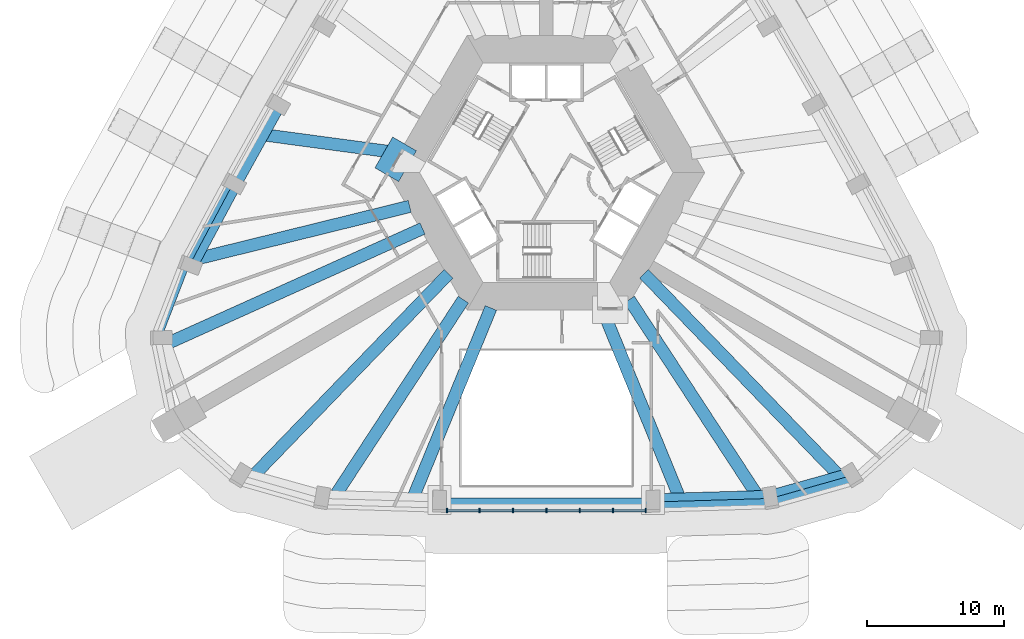
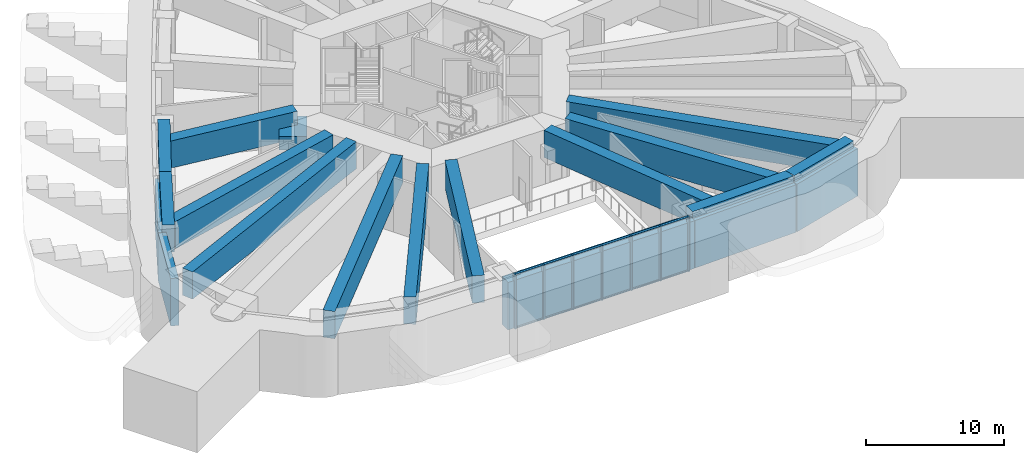
# One storey, part 2 of 16: 24 members, 14 beams, 1 element without a shape of its own.
"""IFC4 building model written with IfcOpenShell, lengths in metres."""

from ifc_helpers import new_model, si_unit, direction, frame, origin, origin_2d, place, context, subcontext, project, spatial, rectangle, extrude, material, material_profile, profile_set, type_object, element, aggregate, save


model = new_model("IFC4")

# Units and contexts
model_context = context("Model", 3, precision=1e-05, world=origin(), true_north=direction((0.0, 1.0)))
body_context = subcontext(model_context, "Body", "Model", "MODEL_VIEW")
ifc_project = project(units=[si_unit("LENGTHUNIT", "METRE"), si_unit("AREAUNIT", "SQUARE_METRE"), si_unit("VOLUMEUNIT", "CUBIC_METRE"), si_unit("PLANEANGLEUNIT", "RADIAN"), si_unit("MASSUNIT", "GRAM", prefix="KILO")], contexts=[model_context])

# Site, building, storey
site_placement = place(None, origin())
site = spatial("IfcSite", under=ifc_project, at=site_placement, CompositionType="ELEMENT")
building_placement = place(site_placement, origin())
building = spatial("IfcBuilding", under=site, at=building_placement, Name="Entoto Arch Interchange Tower", CompositionType="ELEMENT")
storey_placement = place(building_placement, frame((0.0, 0.0, 281.0)))
storey = spatial("IfcBuildingStorey", under=building, at=storey_placement, Name="L65", CompositionType="ELEMENT", Elevation=281.0)

# Members
ifc_material_1 = material(Name="Concrete C40/50", Category="concrete")
ifc_material_profile_1 = material_profile(ifc_material_1, rectangle(XDim=0.60009765625, YDim=4.199951171875, at=origin_2d()))
ifc_profile_set_1 = profile_set([ifc_material_profile_1], Name="Concrete C40/50")
member_type_1 = type_object("IfcMemberType", Name="Belt member RC 600x4200 C40/50", PredefinedType="USERDEFINED", material=ifc_profile_set_1)
member_1_placement = place(storey_placement, frame((7.79296875, -21.80908203125, 2.10009765625), z_axis=(0.999541750492, 0.030270266333, 0.0), x_axis=(-0.030270266333, 0.999541750492, 0.0)))
element("IfcMember", 1, at=member_1_placement, inside=storey, type_object=member_type_1, Name="Belt beam 03 L65", ObjectType="BELT BEAM", PredefinedType="USERDEFINED", context=body_context, shape_type="SweptSolid", body=[
    extrude(rectangle(XDim=0.60009765625, YDim=4.199951171875, at=origin_2d()), origin(), (0.0, 0.0, 1.0), 8.621826171875),
])
member_2_placement = place(storey_placement, frame((16.410888671875, -21.548095703125, 2.10009765625), z_axis=(0.961989776661, 0.273085462079, 0.0), x_axis=(-0.273085462079, 0.961989776661, 0.0)))
element("IfcMember", 2, at=member_2_placement, inside=storey, type_object=member_type_1, Name="Belt beam 04 L65", ObjectType="BELT BEAM", PredefinedType="USERDEFINED", context=body_context, shape_type="SweptSolid", body=[
    extrude(rectangle(XDim=0.60009765625, YDim=4.199951171875, at=origin_2d()), origin(), (0.0, 0.0, 1.0), 6.309814453125),
])
member_3_placement = place(storey_placement, frame((-23.093994140625, 1.863037109375, 2.10009765625), z_axis=(-0.470861099696, -0.882207359294, 0.0), x_axis=(0.882207359294, -0.470861099696, 0.0)))
element("IfcMember", 3, at=member_3_placement, inside=storey, type_object=member_type_1, Name="Belt beam 21 L65", ObjectType="BELT BEAM", PredefinedType="USERDEFINED", context=body_context, shape_type="SweptSolid", body=[
    extrude(rectangle(XDim=0.60009765625, YDim=4.199951171875, at=origin_2d()), origin(), (0.0, 0.0, 1.0), 6.825927734375),
])
member_4_placement = place(storey_placement, frame((-26.30810546875, -4.158935546875, 2.10009765625), z_axis=(-0.360182624804, -0.932881812873, 0.0), x_axis=(0.932881812873, -0.360182624804, 0.0)))
element("IfcMember", 4, at=member_4_placement, inside=storey, type_object=member_type_1, Name="Belt beam 22 L65", ObjectType="BELT BEAM", PredefinedType="USERDEFINED", context=body_context, shape_type="SweptSolid", body=[
    extrude(rectangle(XDim=0.60009765625, YDim=4.199951171875, at=origin_2d()), origin(), (0.0, 0.0, 1.0), 5.81640625),
])
ifc_material_profile_2 = material_profile(ifc_material_1, rectangle(XDim=0.89990234375, YDim=4.199951171875, at=origin_2d()))
ifc_profile_set_2 = profile_set([ifc_material_profile_2], Name="Concrete C40/50")
member_type_2 = type_object("IfcMemberType", Name="Belt member RC 900x4200 C40/50", PredefinedType="USERDEFINED", material=ifc_profile_set_2)
member_5_placement = place(storey_placement, frame((-7.79296875, -21.658935546875, 2.10009765625), z_axis=(1.0, 0.0, 0.0), x_axis=(0.0, 1.0, 0.0)))
element("IfcMember", 5, at=member_5_placement, inside=storey, type_object=member_type_2, Name="Belt beam 02 L65", ObjectType="BELT BEAM", PredefinedType="USERDEFINED", context=body_context, shape_type="SweptSolid", body=[
    extrude(rectangle(XDim=0.89990234375, YDim=4.199951171875, at=origin_2d()), origin(), (0.0, 0.0, 1.0), 15.5859375),
])

# Beam
ifc_material_profile_3 = material_profile(ifc_material_1, rectangle(XDim=2.0, YDim=1.199951171875, at=origin_2d()))
ifc_profile_set_3 = profile_set([ifc_material_profile_3], Name="Concrete C40/50")
beam_type_1 = type_object("IfcBeamType", Name="Coupling beam RC 2000x1200 C40/50", PredefinedType="BEAM", material=ifc_profile_set_3)
beam_1_placement = place(storey_placement, frame((-10.3359375, 4.59912109375, 3.0), z_axis=(-0.499814819145, -0.866132291606, 0.0), x_axis=(0.866132291606, -0.499814819145, 0.0)))
element("IfcBeam", 6, at=beam_1_placement, inside=storey, type_object=beam_type_1, Name="Coupling beam NW L65", PredefinedType="BEAM", context=body_context, shape_type="SweptSolid", body=[
    extrude(rectangle(XDim=2.0, YDim=1.199951171875, at=origin_2d()), origin(), (0.0, 0.0, 1.0), 2.59326171875),
])

# Curtain wall, members
ifc_material_2 = material(Name="Aluminium, anodised", Category="aluminium")
curtain_wall_type = type_object("IfcCurtainWallType", Name="CURTAIN WALL ATRIUM", PredefinedType="NOTDEFINED", material=ifc_material_2)
curtain_wall_placement = place(storey_placement, origin())
curtain_wall = element("IfcCurtainWall", 7, at=curtain_wall_placement, inside=storey, type_object=curtain_wall_type, Name="Atrium glazing S-02 L65", PredefinedType="NOTDEFINED")
ifc_material_profile_4 = material_profile(ifc_material_2, rectangle(XDim=0.300048828125, YDim=0.10009765625, at=origin_2d()))
ifc_profile_set_4 = profile_set([ifc_material_profile_4], Name="Aluminium, anodised")
member_type_3 = type_object("IfcMemberType", Name="MULLION ATRIUM 100x300", PredefinedType="MULLION", material=ifc_profile_set_4)
member_6_placement = place(storey_placement, frame((-7.2490234375, -22.12890625, 0.0), z_axis=(0.0, 0.0, 1.0), x_axis=(0.0, 1.0, 0.0)))
member_6 = element("IfcMember", 8, at=member_6_placement, type_object=member_type_3, Name="CWA mullion 1", PredefinedType="MULLION", context=body_context, shape_type="SweptSolid", body=[
    extrude(rectangle(XDim=0.300048828125, YDim=0.10009765625, at=origin_2d()), origin(), (0.0, 0.0, 1.0), 4.800048828125),
])
member_7_placement = place(storey_placement, frame((-4.865966796875, -22.12890625, 0.0), z_axis=(0.0, 0.0, 1.0), x_axis=(0.0, 1.0, 0.0)))
member_7 = element("IfcMember", 9, at=member_7_placement, type_object=member_type_3, Name="CWA mullion 2", PredefinedType="MULLION", context=body_context, shape_type="SweptSolid", body=[
    extrude(rectangle(XDim=0.300048828125, YDim=0.10009765625, at=origin_2d()), origin(), (0.0, 0.0, 1.0), 4.800048828125),
])
member_8_placement = place(storey_placement, frame((-2.43310546875, -22.12890625, 0.0), z_axis=(0.0, 0.0, 1.0), x_axis=(0.0, 1.0, 0.0)))
member_8 = element("IfcMember", 10, at=member_8_placement, type_object=member_type_3, Name="CWA mullion 3", PredefinedType="MULLION", context=body_context, shape_type="SweptSolid", body=[
    extrude(rectangle(XDim=0.300048828125, YDim=0.10009765625, at=origin_2d()), origin(), (0.0, 0.0, 1.0), 4.800048828125),
])
member_9_placement = place(storey_placement, frame((0.0, -22.12890625, 0.0), z_axis=(0.0, 0.0, 1.0), x_axis=(0.0, 1.0, 0.0)))
member_9 = element("IfcMember", 11, at=member_9_placement, type_object=member_type_3, Name="CWA mullion 4", PredefinedType="MULLION", context=body_context, shape_type="SweptSolid", body=[
    extrude(rectangle(XDim=0.300048828125, YDim=0.10009765625, at=origin_2d()), origin(), (0.0, 0.0, 1.0), 4.800048828125),
])
member_10_placement = place(storey_placement, frame((2.43310546875, -22.12890625, 0.0), z_axis=(0.0, 0.0, 1.0), x_axis=(0.0, 1.0, 0.0)))
member_10 = element("IfcMember", 12, at=member_10_placement, type_object=member_type_3, Name="CWA mullion 5", PredefinedType="MULLION", context=body_context, shape_type="SweptSolid", body=[
    extrude(rectangle(XDim=0.300048828125, YDim=0.10009765625, at=origin_2d()), origin(), (0.0, 0.0, 1.0), 4.800048828125),
])
member_11_placement = place(storey_placement, frame((4.865966796875, -22.12890625, 0.0), z_axis=(0.0, 0.0, 1.0), x_axis=(0.0, 1.0, 0.0)))
member_11 = element("IfcMember", 13, at=member_11_placement, type_object=member_type_3, Name="CWA mullion 6", PredefinedType="MULLION", context=body_context, shape_type="SweptSolid", body=[
    extrude(rectangle(XDim=0.300048828125, YDim=0.10009765625, at=origin_2d()), origin(), (0.0, 0.0, 1.0), 4.800048828125),
])
member_12_placement = place(storey_placement, frame((7.2490234375, -22.12890625, 0.0), z_axis=(0.0, 0.0, 1.0), x_axis=(0.0, 1.0, 0.0)))
member_12 = element("IfcMember", 14, at=member_12_placement, type_object=member_type_3, Name="CWA mullion 7", PredefinedType="MULLION", context=body_context, shape_type="SweptSolid", body=[
    extrude(rectangle(XDim=0.300048828125, YDim=0.10009765625, at=origin_2d()), origin(), (0.0, 0.0, 1.0), 4.800048828125),
])
ifc_material_profile_5 = material_profile(ifc_material_2, rectangle(XDim=0.199951171875, YDim=0.080078125, at=origin_2d()))
ifc_profile_set_5 = profile_set([ifc_material_profile_5], Name="Aluminium, anodised")
member_type_4 = type_object("IfcMemberType", Name="TRANSOM ATRIUM 80x200", PredefinedType="USERDEFINED", material=ifc_profile_set_5)
member_13_placement = place(storey_placement, frame((-7.198974609375, -22.12890625, 0.0400390625), z_axis=(1.0, 0.0, 0.0), x_axis=(0.0, 1.0, 0.0)))
member_13 = element("IfcMember", 15, at=member_13_placement, type_object=member_type_4, Name="CWA transom 1.1", ObjectType="TRANSOM", PredefinedType="USERDEFINED", context=body_context, shape_type="SweptSolid", body=[
    extrude(rectangle(XDim=0.199951171875, YDim=0.080078125, at=origin_2d()), origin(), (0.0, 0.0, 1.0), 2.282958984375),
])
member_14_placement = place(storey_placement, frame((-7.198974609375, -22.12890625, 4.760009765625), z_axis=(1.0, 0.0, 0.0), x_axis=(0.0, 1.0, 0.0)))
member_14 = element("IfcMember", 16, at=member_14_placement, type_object=member_type_4, Name="CWA transom 1.2", ObjectType="TRANSOM", PredefinedType="USERDEFINED", context=body_context, shape_type="SweptSolid", body=[
    extrude(rectangle(XDim=0.199951171875, YDim=0.080078125, at=origin_2d()), origin(), (0.0, 0.0, 1.0), 2.282958984375),
])
member_15_placement = place(storey_placement, frame((-4.81591796875, -22.12890625, 0.0400390625), z_axis=(1.0, 0.0, 0.0), x_axis=(0.0, 1.0, 0.0)))
member_15 = element("IfcMember", 17, at=member_15_placement, type_object=member_type_4, Name="CWA transom 2.1", ObjectType="TRANSOM", PredefinedType="USERDEFINED", context=body_context, shape_type="SweptSolid", body=[
    extrude(rectangle(XDim=0.199951171875, YDim=0.080078125, at=origin_2d()), origin(), (0.0, 0.0, 1.0), 2.3330078125),
])
member_16_placement = place(storey_placement, frame((-4.81591796875, -22.12890625, 4.760009765625), z_axis=(1.0, 0.0, 0.0), x_axis=(0.0, 1.0, 0.0)))
member_16 = element("IfcMember", 18, at=member_16_placement, type_object=member_type_4, Name="CWA transom 2.2", ObjectType="TRANSOM", PredefinedType="USERDEFINED", context=body_context, shape_type="SweptSolid", body=[
    extrude(rectangle(XDim=0.199951171875, YDim=0.080078125, at=origin_2d()), origin(), (0.0, 0.0, 1.0), 2.3330078125),
])
member_17_placement = place(storey_placement, frame((-2.383056640625, -22.12890625, 0.0400390625), z_axis=(1.0, 0.0, 0.0), x_axis=(0.0, 1.0, 0.0)))
member_17 = element("IfcMember", 19, at=member_17_placement, type_object=member_type_4, Name="CWA transom 3.1", ObjectType="TRANSOM", PredefinedType="USERDEFINED", context=body_context, shape_type="SweptSolid", body=[
    extrude(rectangle(XDim=0.199951171875, YDim=0.080078125, at=origin_2d()), origin(), (0.0, 0.0, 1.0), 2.3330078125),
])
member_18_placement = place(storey_placement, frame((-2.383056640625, -22.12890625, 4.760009765625), z_axis=(1.0, 0.0, 0.0), x_axis=(0.0, 1.0, 0.0)))
member_18 = element("IfcMember", 20, at=member_18_placement, type_object=member_type_4, Name="CWA transom 3.2", ObjectType="TRANSOM", PredefinedType="USERDEFINED", context=body_context, shape_type="SweptSolid", body=[
    extrude(rectangle(XDim=0.199951171875, YDim=0.080078125, at=origin_2d()), origin(), (0.0, 0.0, 1.0), 2.3330078125),
])
member_19_placement = place(storey_placement, frame((0.050048828125, -22.12890625, 0.0400390625), z_axis=(1.0, 0.0, 0.0), x_axis=(0.0, 1.0, 0.0)))
member_19 = element("IfcMember", 21, at=member_19_placement, type_object=member_type_4, Name="CWA transom 4.1", ObjectType="TRANSOM", PredefinedType="USERDEFINED", context=body_context, shape_type="SweptSolid", body=[
    extrude(rectangle(XDim=0.199951171875, YDim=0.080078125, at=origin_2d()), origin(), (0.0, 0.0, 1.0), 2.3330078125),
])
member_20_placement = place(storey_placement, frame((0.050048828125, -22.12890625, 4.760009765625), z_axis=(1.0, 0.0, 0.0), x_axis=(0.0, 1.0, 0.0)))
member_20 = element("IfcMember", 22, at=member_20_placement, type_object=member_type_4, Name="CWA transom 4.2", ObjectType="TRANSOM", PredefinedType="USERDEFINED", context=body_context, shape_type="SweptSolid", body=[
    extrude(rectangle(XDim=0.199951171875, YDim=0.080078125, at=origin_2d()), origin(), (0.0, 0.0, 1.0), 2.3330078125),
])
member_21_placement = place(storey_placement, frame((2.48291015625, -22.12890625, 0.0400390625), z_axis=(1.0, 0.0, 0.0), x_axis=(0.0, 1.0, 0.0)))
member_21 = element("IfcMember", 23, at=member_21_placement, type_object=member_type_4, Name="CWA transom 5.1", ObjectType="TRANSOM", PredefinedType="USERDEFINED", context=body_context, shape_type="SweptSolid", body=[
    extrude(rectangle(XDim=0.199951171875, YDim=0.080078125, at=origin_2d()), origin(), (0.0, 0.0, 1.0), 2.3330078125),
])
member_22_placement = place(storey_placement, frame((2.48291015625, -22.12890625, 4.760009765625), z_axis=(1.0, 0.0, 0.0), x_axis=(0.0, 1.0, 0.0)))
member_22 = element("IfcMember", 24, at=member_22_placement, type_object=member_type_4, Name="CWA transom 5.2", ObjectType="TRANSOM", PredefinedType="USERDEFINED", context=body_context, shape_type="SweptSolid", body=[
    extrude(rectangle(XDim=0.199951171875, YDim=0.080078125, at=origin_2d()), origin(), (0.0, 0.0, 1.0), 2.3330078125),
])
member_23_placement = place(storey_placement, frame((4.916015625, -22.12890625, 0.0400390625), z_axis=(1.0, 0.0, 0.0), x_axis=(0.0, 1.0, 0.0)))
member_23 = element("IfcMember", 25, at=member_23_placement, type_object=member_type_4, Name="CWA transom 6.1", ObjectType="TRANSOM", PredefinedType="USERDEFINED", context=body_context, shape_type="SweptSolid", body=[
    extrude(rectangle(XDim=0.199951171875, YDim=0.080078125, at=origin_2d()), origin(), (0.0, 0.0, 1.0), 2.282958984375),
])
member_24_placement = place(storey_placement, frame((4.916015625, -22.12890625, 4.760009765625), z_axis=(1.0, 0.0, 0.0), x_axis=(0.0, 1.0, 0.0)))
member_24 = element("IfcMember", 26, at=member_24_placement, type_object=member_type_4, Name="CWA transom 6.2", ObjectType="TRANSOM", PredefinedType="USERDEFINED", context=body_context, shape_type="SweptSolid", body=[
    extrude(rectangle(XDim=0.199951171875, YDim=0.080078125, at=origin_2d()), origin(), (0.0, 0.0, 1.0), 2.282958984375),
])
aggregate(curtain_wall, [member_6, member_7, member_8, member_9, member_10, member_11, member_12, member_13, member_14, member_15, member_16, member_17, member_18, member_19, member_20, member_21, member_22, member_23, member_24])

# Beams
ifc_material_profile_6 = material_profile(ifc_material_1, rectangle(XDim=0.89990234375, YDim=2.39990234375, at=origin_2d()))
ifc_profile_set_6 = profile_set([ifc_material_profile_6], Name="Concrete C40/50")
beam_type_2 = type_object("IfcBeamType", Name="Transfer beam RC 900x2400 C40/50", PredefinedType="BEAM", material=ifc_profile_set_6)
beam_2_placement = place(storey_placement, frame((-6.050048828125, -6.7548828125, 3.60009765625), z_axis=(-0.547165158745, -0.837024664544, 0.0), x_axis=(0.837024664544, -0.547165158745, 0.0)))
element("IfcBeam", 27, at=beam_2_placement, inside=storey, type_object=beam_type_2, Name="Transfer beam S01 L65", PredefinedType="BEAM", context=body_context, shape_type="SweptSolid", body=[
    extrude(rectangle(XDim=0.89990234375, YDim=2.39990234375, at=origin_2d()), origin(), (0.0, 0.0, 1.0), 16.8740234375),
])
for number, where, z_axis, x_axis, name in (
    (28, (-4.04296875, -7.361083984375, 3.60009765625), (-0.379316041904, -0.925267172418, 0.0), (0.925267172418, -0.379316041904, 0.0), "Transfer beam S02 L65"),
    (29, (4.04296875, -7.361083984375, 3.60009765625), (0.379316041904, -0.925267172418, 0.0), (0.925267172418, 0.379316041904, 0.0), "Transfer beam S03 L65"),
):
    element("IfcBeam", number, at=place(storey_placement, frame(where, z_axis=z_axis, x_axis=x_axis)), inside=storey, type_object=beam_type_2, Name=name, PredefinedType="BEAM", context=body_context, shape_type="SweptSolid", body=[
        extrude(rectangle(XDim=0.89990234375, YDim=2.39990234375, at=origin_2d()), origin(), (0.0, 0.0, 1.0), 14.760986328125),
    ])
beam_3_placement = place(storey_placement, frame((7.783935546875, -21.35400390625, 3.60009765625), z_axis=(0.999572406463, 0.029240455484, 0.0), x_axis=(-0.029240455484, 0.999572406463, 0.0)))
element("IfcBeam", 30, at=beam_3_placement, inside=storey, type_object=beam_type_2, Name="Transfer girder S03 L65", PredefinedType="BEAM", context=body_context, shape_type="SweptSolid", body=[
    extrude(rectangle(XDim=0.89990234375, YDim=2.39990234375, at=origin_2d()), origin(), (0.0, 0.0, 1.0), 8.5498046875),
])
beam_4_placement = place(storey_placement, frame((6.050048828125, -6.7548828125, 3.60009765625), z_axis=(0.547165158745, -0.837024664544, 0.0), x_axis=(0.837024664544, 0.547165158745, 0.0)))
element("IfcBeam", 31, at=beam_4_placement, inside=storey, type_object=beam_type_2, Name="Transfer beam S04 L65", PredefinedType="BEAM", context=body_context, shape_type="SweptSolid", body=[
    extrude(rectangle(XDim=0.89990234375, YDim=2.39990234375, at=origin_2d()), origin(), (0.0, 0.0, 1.0), 16.8740234375),
])
beam_5_placement = place(storey_placement, frame((7.125, -4.87109375, 3.60009765625), z_axis=(0.694961561158, -0.719046888953, 0.0), x_axis=(0.719046888953, 0.694961561158, 0.0)))
element("IfcBeam", 32, at=beam_5_placement, inside=storey, type_object=beam_type_2, Name="Transfer beam SE1 L65", PredefinedType="BEAM", context=body_context, shape_type="SweptSolid", body=[
    extrude(rectangle(XDim=0.89990234375, YDim=2.39990234375, at=origin_2d()), origin(), (0.0, 0.0, 1.0), 20.293212890625),
])
beam_6_placement = place(storey_placement, frame((16.330078125, -21.10400390625, 3.60009765625), z_axis=(0.963187182947, 0.268831639891, 0.0), x_axis=(-0.268831639891, 0.963187182947, 0.0)))
element("IfcBeam", 33, at=beam_6_placement, inside=storey, type_object=beam_type_2, Name="Transfer girder SE1 L65", PredefinedType="BEAM", context=body_context, shape_type="SweptSolid", body=[
    extrude(rectangle(XDim=0.89990234375, YDim=2.39990234375, at=origin_2d()), origin(), (0.0, 0.0, 1.0), 6.12646484375),
])
beam_7_placement = place(storey_placement, frame((-10.568115234375, 3.91796875, 3.60009765625), z_axis=(-0.991129866052, 0.132896909747, 0.0), x_axis=(-0.132896909747, -0.991129866052, 0.0)))
element("IfcBeam", 34, at=beam_7_placement, inside=storey, type_object=beam_type_2, Name="Transfer beam NW03 L65", PredefinedType="BEAM", context=body_context, shape_type="SweptSolid", body=[
    extrude(rectangle(XDim=0.89990234375, YDim=2.39990234375, at=origin_2d()), origin(), (0.0, 0.0, 1.0), 9.90185546875),
])
beam_8_placement = place(storey_placement, frame((-19.48095703125, 7.429931640625, 3.60009765625), z_axis=(-0.485699348441, -0.874125930815, 0.0), x_axis=(0.874125930815, -0.485699348441, 0.0)))
element("IfcBeam", 35, at=beam_8_placement, inside=storey, type_object=beam_type_2, Name="Transfer girder NW03 L65", PredefinedType="BEAM", context=body_context, shape_type="SweptSolid", body=[
    extrude(rectangle(XDim=0.89990234375, YDim=2.39990234375, at=origin_2d()), origin(), (0.0, 0.0, 1.0), 6.613525390625),
])
beam_9_placement = place(storey_placement, frame((-9.962890625, 0.0439453125, 3.60009765625), z_axis=(-0.970949441802, -0.239284728859, 0.0), x_axis=(0.239284728859, -0.970949441802, 0.0)))
element("IfcBeam", 36, at=beam_9_placement, inside=storey, type_object=beam_type_2, Name="Transfer beam NW04 L65", PredefinedType="BEAM", context=body_context, shape_type="SweptSolid", body=[
    extrude(rectangle(XDim=0.89990234375, YDim=2.39990234375, at=origin_2d()), origin(), (0.0, 0.0, 1.0), 15.82177734375),
])
beam_10_placement = place(storey_placement, frame((-22.693115234375, 1.64892578125, 3.60009765625), z_axis=(-0.471868041727, -0.88166918467, 0.0), x_axis=(0.88166918467, -0.471868041727, 0.0)))
element("IfcBeam", 37, at=beam_10_placement, inside=storey, type_object=beam_type_2, Name="Transfer girder NW04 L65", PredefinedType="BEAM", context=body_context, shape_type="SweptSolid", body=[
    extrude(rectangle(XDim=0.89990234375, YDim=2.39990234375, at=origin_2d()), origin(), (0.0, 0.0, 1.0), 6.730224609375),
])
beam_11_placement = place(storey_placement, frame((-9.02587890625, -1.568115234375, 3.60009765625), z_axis=(-0.911688647772, -0.410881746398, 0.0), x_axis=(0.410881746398, -0.911688647772, 0.0)))
element("IfcBeam", 38, at=beam_11_placement, inside=storey, type_object=beam_type_2, Name="Transfer beam SW1 L65", PredefinedType="BEAM", context=body_context, shape_type="SweptSolid", body=[
    extrude(rectangle(XDim=0.89990234375, YDim=2.39990234375, at=origin_2d()), origin(), (0.0, 0.0, 1.0), 20.27783203125),
])
beam_12_placement = place(storey_placement, frame((-7.125, -4.87109375, 3.60009765625), z_axis=(-0.694961561158, -0.719046888953, 0.0), x_axis=(0.719046888953, -0.694961561158, 0.0)))
element("IfcBeam", 39, at=beam_12_placement, inside=storey, type_object=beam_type_2, Name="Transfer beam SW3 L65", PredefinedType="BEAM", context=body_context, shape_type="SweptSolid", body=[
    extrude(rectangle(XDim=0.89990234375, YDim=2.39990234375, at=origin_2d()), origin(), (0.0, 0.0, 1.0), 20.293212890625),
])

save(model, "model.ifc")
